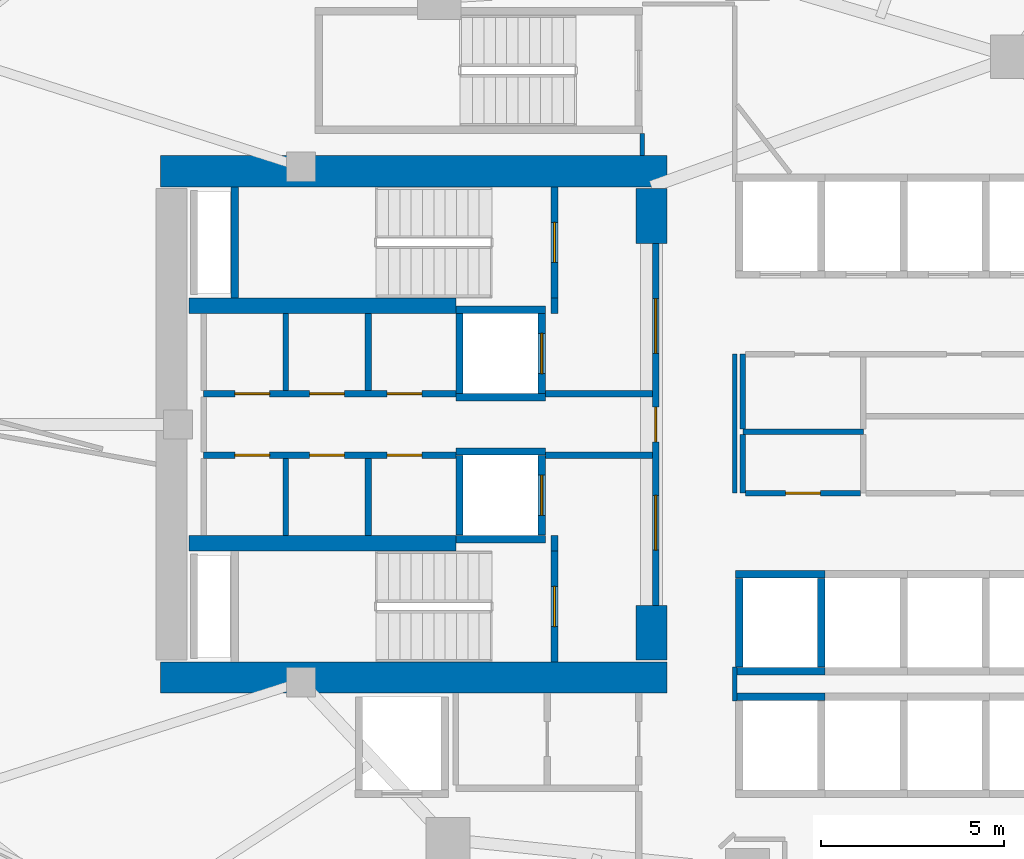
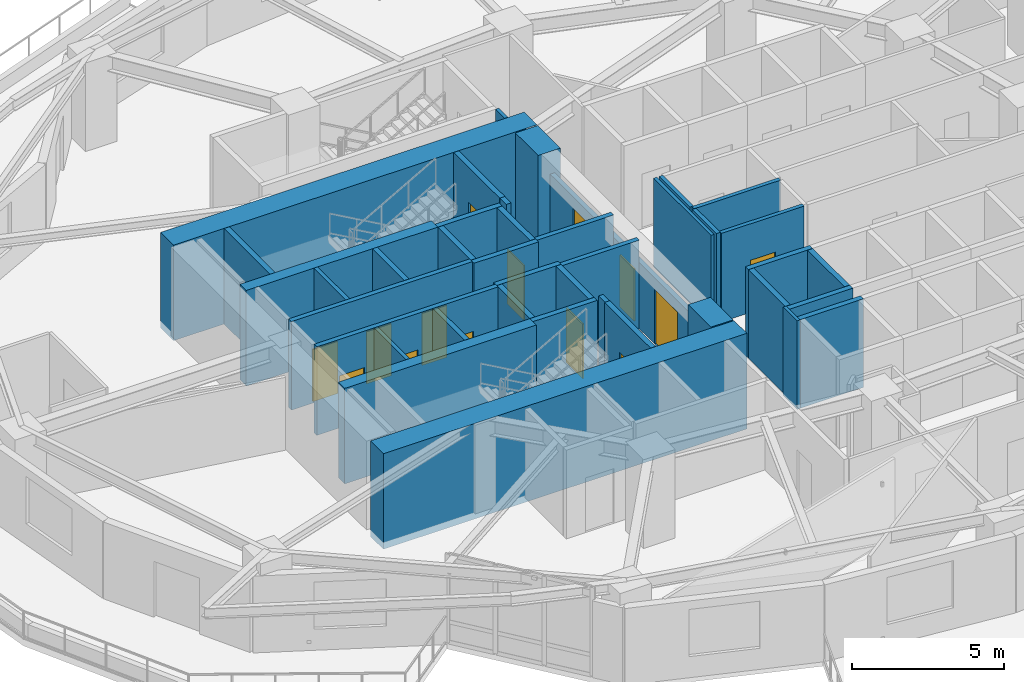
# One storey, part 9 of 19: 40 walls, 14 doors, 14 openings.
"""IFC4 building model written with IfcOpenShell, lengths in metres."""

from ifc_helpers import new_model, si_unit, direction, frame, frame_2d, origin, place, context, subcontext, project, spatial, rectangle, extrude, material, layer, layer_set, type_object, element, fill, save


model = new_model("IFC4")

# Units and contexts
model_context = context("Model", 3, precision=1e-05, world=origin(), true_north=direction((0.0, 1.0)))
body_context = subcontext(model_context, "Body", "Model", "MODEL_VIEW")
ifc_project = project(units=[si_unit("LENGTHUNIT", "METRE"), si_unit("AREAUNIT", "SQUARE_METRE"), si_unit("VOLUMEUNIT", "CUBIC_METRE"), si_unit("PLANEANGLEUNIT", "RADIAN"), si_unit("MASSUNIT", "GRAM", prefix="KILO")], contexts=[model_context])

# Site, building, storey
site_placement = place(None, origin())
site = spatial("IfcSite", under=ifc_project, at=site_placement, CompositionType="ELEMENT")
building_placement = place(site_placement, origin())
building = spatial("IfcBuilding", under=site, at=building_placement, Name="Kolvaren Gate Tower and Convention Centre", CompositionType="ELEMENT")
storey_placement = place(building_placement, frame((0.0, 0.0, 68.85009765625)))
storey = spatial("IfcBuildingStorey", under=building, at=storey_placement, Name="L16", CompositionType="ELEMENT", Elevation=68.85009765625)

# Walls
ifc_material_1 = material(Name="Autoclaved Aerated Masonry Blockwork Class 4 (4.0 MPa)", Category="masonry")
ifc_layer_1 = layer(ifc_material_1, 0.179931640625)
ifc_layer_set_1 = layer_set([ifc_layer_1], Name="Autoclaved Aerated Masonry Blockwork Class 4 (4.0 MPa)")
wall_type_1 = type_object("IfcWallType", Name="ARCH-WL-COMP-180", PredefinedType="SOLIDWALL", material=ifc_layer_set_1)
for number, where, z_axis, x_axis, name in (
    (1, (24.85009765625, 23.5400390625, 0.0), (0.0, 0.0, 1.0), (0.0, 1.0, 0.0), "Interior Partition WL-L16-INT-001"),
    (2, (24.85009765625, 30.0400390625, 0.0), (0.0, 0.0, 1.0), (0.0, 1.0, 0.0), "Interior Partition WL-L16-INT-002"),
):
    element("IfcWall", number, at=place(storey_placement, frame(where, z_axis=z_axis, x_axis=x_axis)), inside=storey, type_object=wall_type_1, Name=name, PredefinedType="SOLIDWALL", context=body_context, shape_type="SweptSolid", body=[
        extrude(rectangle(XDim=0.419921875, YDim=0.179931640625, at=frame_2d((0.2099609375, 0.0))), origin(), (0.0, 0.0, 1.0), 3.56982421875),
    ])

# Wall, openings, doors
wall_1_placement = place(storey_placement, frame((27.6201171875, 22.050048828125, 0.0), z_axis=(0.0, 0.0, 1.0), x_axis=(0.0, 1.0, 0.0)))
wall_1 = element("IfcWall", 3, at=wall_1_placement, inside=storey, type_object=wall_type_1, Name="Interior Partition WL-L16-INT-003", PredefinedType="SOLIDWALL", context=body_context, shape_type="SweptSolid", body=[
    extrude(rectangle(XDim=9.89990234375, YDim=0.179931640625, at=frame_2d((4.949951171875, 0.0))), origin(), (0.0, 0.0, 1.0), 2.661865234375),
])
opening_1_placement = place(wall_1_placement, frame((4.47509765625, 0.0, 0.0)))
opening_1 = element("IfcOpeningElement", 4, at=opening_1_placement, cuts=wall_1, Name="Opening DR-01", PredefinedType="OPENING", context=body_context, shape_type="SweptSolid", body=[
    extrude(rectangle(XDim=0.949951171875, YDim=2.10009765625, at=frame_2d((0.47509765625, 1.050048828125))), frame((0.0, 0.099853515625, 0.0), z_axis=(0.0, -1.0, 0.0), x_axis=(1.0, 0.0, 0.0)), (0.0, 0.0, 1.0), 0.199951171875),
])
opening_2_placement = place(wall_1_placement, frame((6.889892578125, 0.0, 0.0)))
opening_2 = element("IfcOpeningElement", 5, at=opening_2_placement, cuts=wall_1, Name="Opening DL-01", PredefinedType="OPENING", context=body_context, shape_type="SweptSolid", body=[
    extrude(rectangle(XDim=1.5, YDim=2.199951171875, at=frame_2d((0.75, 1.10009765625))), frame((0.0, 0.099853515625, 0.0), z_axis=(0.0, -1.0, 0.0), x_axis=(1.0, 0.0, 0.0)), (0.0, 0.0, 1.0), 0.199951171875),
])
opening_3_placement = place(wall_1_placement, frame((1.510009765625, 0.0, 0.0)))
opening_3 = element("IfcOpeningElement", 6, at=opening_3_placement, cuts=wall_1, Name="Opening DL-01", PredefinedType="OPENING", context=body_context, shape_type="SweptSolid", body=[
    extrude(rectangle(XDim=1.5, YDim=2.199951171875, at=frame_2d((0.75, 1.10009765625))), frame((0.0, 0.099853515625, 0.0), z_axis=(0.0, -1.0, 0.0), x_axis=(1.0, 0.0, 0.0)), (0.0, 0.0, 1.0), 0.199951171875),
])
ifc_material_2 = material(Name="Painted Architectural Steelwork ASTM A500 Grade C 345 MPa", Category="steel")
door_type_1 = type_object("IfcDoorType", Name="ARCH-DR-LOBBY-1500", OperationType="DOUBLE_DOOR_SINGLE_SWING", PredefinedType="DOOR", material=ifc_material_2)
door_1_placement = place(opening_2_placement, origin())
door_1 = element("IfcDoor", 7, at=door_1_placement, inside=storey, type_object=door_type_1, Name="North Firefighting Stair and Lift Lobby Door", OperationType="DOUBLE_DOOR_SINGLE_SWING", OverallHeight=2.199951171875, OverallWidth=1.5, PredefinedType="DOOR", context=body_context, shape_type="SweptSolid", body=[
    extrude(rectangle(XDim=1.5, YDim=2.199951171875, at=frame_2d((0.75, 1.10009765625))), frame((0.0, 0.02490234375, 0.0), z_axis=(0.0, -1.0, 0.0), x_axis=(1.0, 0.0, 0.0)), (0.0, 0.0, 1.0), 0.050048828125),
])
fill(opening_2, door_1)
door_2_placement = place(opening_3_placement, origin())
door_2 = element("IfcDoor", 8, at=door_2_placement, inside=storey, type_object=door_type_1, Name="South Firefighting Stair and Lift Lobby Door", OperationType="DOUBLE_DOOR_SINGLE_SWING", OverallHeight=2.199951171875, OverallWidth=1.5, PredefinedType="DOOR", context=body_context, shape_type="SweptSolid", body=[
    extrude(rectangle(XDim=1.5, YDim=2.199951171875, at=frame_2d((0.75, 1.10009765625))), frame((0.0, 0.02490234375, 0.0), z_axis=(0.0, -1.0, 0.0), x_axis=(1.0, 0.0, 0.0)), (0.0, 0.0, 1.0), 0.050048828125),
])
fill(opening_3, door_2)
door_type_2 = type_object("IfcDoorType", Name="ARCH-DR-RISER-950", OperationType="SINGLE_SWING_RIGHT", PredefinedType="DOOR", material=ifc_material_2)
door_3_placement = place(opening_1_placement, origin())
door_3 = element("IfcDoor", 9, at=door_3_placement, inside=storey, type_object=door_type_2, Name="Central MEP Service Corridor Door", OperationType="SINGLE_SWING_RIGHT", OverallHeight=2.10009765625, OverallWidth=0.949951171875, PredefinedType="DOOR", context=body_context, shape_type="SweptSolid", body=[
    extrude(rectangle(XDim=0.949951171875, YDim=2.10009765625, at=frame_2d((0.47509765625, 1.050048828125))), frame((0.0, 0.02490234375, 0.0), z_axis=(0.0, -1.0, 0.0), x_axis=(1.0, 0.0, 0.0)), (0.0, 0.0, 1.0), 0.050048828125),
])
fill(opening_1, door_3)

wall_2_placement = place(storey_placement, frame((15.25, 27.840087890625, 0.0), z_axis=(0.0, 0.0, 1.0), x_axis=(1.0, 0.0, 0.0)))
wall_2 = element("IfcWall", 10, at=wall_2_placement, inside=storey, type_object=wall_type_1, Name="Interior Partition WL-L16-INT-004", PredefinedType="SOLIDWALL", context=body_context, shape_type="SweptSolid", body=[
    extrude(rectangle(XDim=6.89990234375, YDim=0.179931640625, at=frame_2d((3.449951171875, 0.0))), origin(), (0.0, 0.0, 1.0), 3.56982421875),
])
opening_4_placement = place(wall_2_placement, frame((5.02001953125, 0.0, 0.0)))
opening_4 = element("IfcOpeningElement", 11, at=opening_4_placement, cuts=wall_2, Name="Opening DR-01", PredefinedType="OPENING", context=body_context, shape_type="SweptSolid", body=[
    extrude(rectangle(XDim=0.949951171875, YDim=2.10009765625, at=frame_2d((0.47509765625, 1.050048828125))), frame((0.0, 0.099853515625, 0.0), z_axis=(0.0, -1.0, 0.0), x_axis=(1.0, 0.0, 0.0)), (0.0, 0.0, 1.0), 0.199951171875),
])
opening_5_placement = place(wall_2_placement, frame((0.85498046875, 0.0, 0.0)))
opening_5 = element("IfcOpeningElement", 12, at=opening_5_placement, cuts=wall_2, Name="Opening DR-01", PredefinedType="OPENING", context=body_context, shape_type="SweptSolid", body=[
    extrude(rectangle(XDim=0.949951171875, YDim=2.10009765625, at=frame_2d((0.47509765625, 1.050048828125))), frame((0.0, 0.099853515625, 0.0), z_axis=(0.0, -1.0, 0.0), x_axis=(1.0, 0.0, 0.0)), (0.0, 0.0, 1.0), 0.199951171875),
])
opening_6_placement = place(wall_2_placement, frame((2.89990234375, 0.0, 0.0)))
opening_6 = element("IfcOpeningElement", 13, at=opening_6_placement, cuts=wall_2, Name="Opening DR-01", PredefinedType="OPENING", context=body_context, shape_type="SweptSolid", body=[
    extrude(rectangle(XDim=0.949951171875, YDim=2.10009765625, at=frame_2d((0.47509765625, 1.050048828125))), frame((0.0, 0.099853515625, 0.0), z_axis=(0.0, -1.0, 0.0), x_axis=(1.0, 0.0, 0.0)), (0.0, 0.0, 1.0), 0.199951171875),
])
door_4_placement = place(opening_4_placement, origin())
door_4 = element("IfcDoor", 14, at=door_4_placement, inside=storey, type_object=door_type_2, Name="Electrical Switchgear Closet Door", OperationType="SINGLE_SWING_LEFT", OverallHeight=2.10009765625, OverallWidth=0.949951171875, PredefinedType="DOOR", context=body_context, shape_type="SweptSolid", body=[
    extrude(rectangle(XDim=0.949951171875, YDim=2.10009765625, at=frame_2d((0.47509765625, 1.050048828125))), frame((0.0, 0.02490234375, 0.0), z_axis=(0.0, -1.0, 0.0), x_axis=(1.0, 0.0, 0.0)), (0.0, 0.0, 1.0), 0.050048828125),
])
fill(opening_4, door_4)
door_5_placement = place(opening_5_placement, origin())
door_5 = element("IfcDoor", 15, at=door_5_placement, inside=storey, type_object=door_type_2, Name="Staff Accessible WC Door", OperationType="SINGLE_SWING_LEFT", OverallHeight=2.10009765625, OverallWidth=0.949951171875, PredefinedType="DOOR", context=body_context, shape_type="SweptSolid", body=[
    extrude(rectangle(XDim=0.949951171875, YDim=2.10009765625, at=frame_2d((0.47509765625, 1.050048828125))), frame((0.0, 0.02490234375, 0.0), z_axis=(0.0, -1.0, 0.0), x_axis=(1.0, 0.0, 0.0)), (0.0, 0.0, 1.0), 0.050048828125),
])
fill(opening_5, door_5)
door_6_placement = place(opening_6_placement, origin())
door_6 = element("IfcDoor", 16, at=door_6_placement, inside=storey, type_object=door_type_2, Name="Housekeeping Sink Closet Door", OperationType="SINGLE_SWING_RIGHT", OverallHeight=2.10009765625, OverallWidth=0.949951171875, PredefinedType="DOOR", context=body_context, shape_type="SweptSolid", body=[
    extrude(rectangle(XDim=0.949951171875, YDim=2.10009765625, at=frame_2d((0.47509765625, 1.050048828125))), frame((0.0, 0.02490234375, 0.0), z_axis=(0.0, -1.0, 0.0), x_axis=(1.0, 0.0, 0.0)), (0.0, 0.0, 1.0), 0.050048828125),
])
fill(opening_6, door_6)

# Wall
wall_3_placement = place(storey_placement, frame((24.60009765625, 27.840087890625, 0.0), z_axis=(0.0, 0.0, 1.0), x_axis=(1.0, 0.0, 0.0)))
element("IfcWall", 17, at=wall_3_placement, inside=storey, type_object=wall_type_1, Name="Interior Partition WL-L16-INT-004 (2)", PredefinedType="SOLIDWALL", context=body_context, shape_type="SweptSolid", body=[
    extrude(rectangle(XDim=2.927978515625, YDim=0.179931640625, at=frame_2d((1.4638671875, 0.0))), origin(), (0.0, 0.0, 1.0), 3.56982421875),
])

# Wall, openings, doors
wall_4_placement = place(storey_placement, frame((15.25, 26.159912109375, 0.0), z_axis=(0.0, 0.0, 1.0), x_axis=(1.0, 0.0, 0.0)))
wall_4 = element("IfcWall", 18, at=wall_4_placement, inside=storey, type_object=wall_type_1, Name="Interior Partition WL-L16-INT-005", PredefinedType="SOLIDWALL", context=body_context, shape_type="SweptSolid", body=[
    extrude(rectangle(XDim=6.89990234375, YDim=0.179931640625, at=frame_2d((3.449951171875, 0.0))), origin(), (0.0, 0.0, 1.0), 3.56982421875),
])
opening_7_placement = place(wall_4_placement, frame((5.02001953125, 0.0, 0.0)))
opening_7 = element("IfcOpeningElement", 19, at=opening_7_placement, cuts=wall_4, Name="Opening DR-01", PredefinedType="OPENING", context=body_context, shape_type="SweptSolid", body=[
    extrude(rectangle(XDim=0.949951171875, YDim=2.10009765625, at=frame_2d((0.47509765625, 1.050048828125))), frame((0.0, 0.099853515625, 0.0), z_axis=(0.0, -1.0, 0.0), x_axis=(1.0, 0.0, 0.0)), (0.0, 0.0, 1.0), 0.199951171875),
])
opening_8_placement = place(wall_4_placement, frame((0.85498046875, 0.0, 0.0)))
opening_8 = element("IfcOpeningElement", 20, at=opening_8_placement, cuts=wall_4, Name="Opening DR-01", PredefinedType="OPENING", context=body_context, shape_type="SweptSolid", body=[
    extrude(rectangle(XDim=0.949951171875, YDim=2.10009765625, at=frame_2d((0.47509765625, 1.050048828125))), frame((0.0, 0.099853515625, 0.0), z_axis=(0.0, -1.0, 0.0), x_axis=(1.0, 0.0, 0.0)), (0.0, 0.0, 1.0), 0.199951171875),
])
opening_9_placement = place(wall_4_placement, frame((2.89990234375, 0.0, 0.0)))
opening_9 = element("IfcOpeningElement", 21, at=opening_9_placement, cuts=wall_4, Name="Opening DR-01", PredefinedType="OPENING", context=body_context, shape_type="SweptSolid", body=[
    extrude(rectangle(XDim=0.949951171875, YDim=2.10009765625, at=frame_2d((0.47509765625, 1.050048828125))), frame((0.0, 0.099853515625, 0.0), z_axis=(0.0, -1.0, 0.0), x_axis=(1.0, 0.0, 0.0)), (0.0, 0.0, 1.0), 0.199951171875),
])
door_7_placement = place(opening_7_placement, origin())
door_7 = element("IfcDoor", 22, at=door_7_placement, inside=storey, type_object=door_type_2, Name="Domestic Water Meter Closet Door", OperationType="SINGLE_SWING_RIGHT", OverallHeight=2.10009765625, OverallWidth=0.949951171875, PredefinedType="DOOR", context=body_context, shape_type="SweptSolid", body=[
    extrude(rectangle(XDim=0.949951171875, YDim=2.10009765625, at=frame_2d((0.47509765625, 1.050048828125))), frame((0.0, 0.02490234375, 0.0), z_axis=(0.0, -1.0, 0.0), x_axis=(1.0, 0.0, 0.0)), (0.0, 0.0, 1.0), 0.050048828125),
])
fill(opening_7, door_7)
door_8_placement = place(opening_8_placement, origin())
door_8 = element("IfcDoor", 23, at=door_8_placement, inside=storey, type_object=door_type_2, Name="Beverage Service Pantry Door", OperationType="SINGLE_SWING_LEFT", OverallHeight=2.10009765625, OverallWidth=0.949951171875, PredefinedType="DOOR", context=body_context, shape_type="SweptSolid", body=[
    extrude(rectangle(XDim=0.949951171875, YDim=2.10009765625, at=frame_2d((0.47509765625, 1.050048828125))), frame((0.0, 0.02490234375, 0.0), z_axis=(0.0, -1.0, 0.0), x_axis=(1.0, 0.0, 0.0)), (0.0, 0.0, 1.0), 0.050048828125),
])
fill(opening_8, door_8)
door_9_placement = place(opening_9_placement, origin())
door_9 = element("IfcDoor", 24, at=door_9_placement, inside=storey, type_object=door_type_2, Name="Archive Supply Closet Door", OperationType="SINGLE_SWING_RIGHT", OverallHeight=2.10009765625, OverallWidth=0.949951171875, PredefinedType="DOOR", context=body_context, shape_type="SweptSolid", body=[
    extrude(rectangle(XDim=0.949951171875, YDim=2.10009765625, at=frame_2d((0.47509765625, 1.050048828125))), frame((0.0, 0.02490234375, 0.0), z_axis=(0.0, -1.0, 0.0), x_axis=(1.0, 0.0, 0.0)), (0.0, 0.0, 1.0), 0.050048828125),
])
fill(opening_9, door_9)

# Walls
wall_5_placement = place(storey_placement, frame((24.60009765625, 26.159912109375, 0.0), z_axis=(0.0, 0.0, 1.0), x_axis=(1.0, 0.0, 0.0)))
element("IfcWall", 25, at=wall_5_placement, inside=storey, type_object=wall_type_1, Name="Interior Partition WL-L16-INT-005 (2)", PredefinedType="SOLIDWALL", context=body_context, shape_type="SweptSolid", body=[
    extrude(rectangle(XDim=2.927978515625, YDim=0.179931640625, at=frame_2d((1.4638671875, 0.0))), origin(), (0.0, 0.0, 1.0), 3.56982421875),
])
for number, where, z_axis, x_axis, name in (
    (26, (19.75, 23.9619140625, 0.0), (0.0, 0.0, 1.0), (0.0, 1.0, 0.0), "Interior Partition WL-L16-INT-007"),
    (27, (19.75, 27.931884765625, 0.0), (0.0, 0.0, 1.0), (0.0, 1.0, 0.0), "Interior Partition WL-L16-INT-008"),
):
    element("IfcWall", number, at=place(storey_placement, frame(where, z_axis=z_axis, x_axis=x_axis)), inside=storey, type_object=wall_type_1, Name=name, PredefinedType="SOLIDWALL", context=body_context, shape_type="SweptSolid", body=[
        extrude(rectangle(XDim=2.106201171875, YDim=0.179931640625, at=frame_2d((1.05322265625, 0.0))), origin(), (0.0, 0.0, 1.0), 3.56982421875),
    ])
ifc_material_3 = material(Name="Fire-Rated Acoustic Gypsum Stud Partition", Category="gypsum")
ifc_layer_2 = layer(ifc_material_3, 0.1201171875)
ifc_layer_set_2 = layer_set([ifc_layer_2], Name="Fire-Rated Acoustic Gypsum Stud Partition")
wall_type_2 = type_object("IfcWallType", Name="ARCH-WL-PART-120", PredefinedType="PARTITIONING", material=ifc_layer_set_2)
wall_6_placement = place(storey_placement, frame((27.25, 34.35205078125, 0.0), z_axis=(0.0, 0.0, 1.0), x_axis=(0.0, 1.0, 0.0)))
element("IfcWall", 28, at=wall_6_placement, inside=storey, type_object=wall_type_2, Name="Interior Partition WL-L16-INT-026", PredefinedType="PARTITIONING", context=body_context, shape_type="SweptSolid", body=[
    extrude(rectangle(XDim=0.60595703125, YDim=0.1201171875, at=frame_2d((0.302978515625, 0.0))), origin(), (0.0, 0.0, 1.0), 3.56982421875),
])
wall_7_placement = place(storey_placement, frame((29.780029296875, 19.43994140625, 0.0), z_axis=(0.0, 0.0, 1.0), x_axis=(0.0, 1.0, 0.0)))
element("IfcWall", 29, at=wall_7_placement, inside=storey, type_object=wall_type_2, Name="Interior Partition WL-L16-INT-028", PredefinedType="PARTITIONING", context=body_context, shape_type="SweptSolid", body=[
    extrude(rectangle(XDim=0.920166015625, YDim=0.1201171875, at=frame_2d((0.4599609375, 0.0))), origin(), (0.0, 0.0, 1.0), 3.56982421875),
])
wall_8_placement = place(storey_placement, frame((29.780029296875, 25.1201171875, 0.0), z_axis=(0.0, 0.0, 1.0), x_axis=(0.0, 1.0, 0.0)))
element("IfcWall", 30, at=wall_8_placement, inside=storey, type_object=wall_type_2, Name="Interior Partition WL-L16-INT-029", PredefinedType="PARTITIONING", context=body_context, shape_type="SweptSolid", body=[
    extrude(rectangle(XDim=3.7998046875, YDim=0.1201171875, at=frame_2d((1.89990234375, 0.0))), origin(), (0.0, 0.0, 1.0), 3.56982421875),
])
ifc_layer_3 = layer(ifc_material_1, 0.199951171875)
ifc_layer_set_3 = layer_set([ifc_layer_3], Name="Autoclaved Aerated Masonry Blockwork Class 4 (4.0 MPa)")
wall_type_3 = type_object("IfcWallType", Name="ARCH-WL-SHAFT-200", PredefinedType="SOLIDWALL", material=ifc_layer_set_3)
for number, where, z_axis, x_axis, name in (
    (31, (22.14990234375, 30.139892578125, 0.0), (0.0, 0.0, 1.0), (1.0, 0.0, 0.0), "Elevator FF-01 L16 Fire Shaft Wall N"),
    (32, (22.14990234375, 27.739990234375, 0.0), (0.0, 0.0, 1.0), (1.0, 0.0, 0.0), "Elevator FF-01 L16 Fire Shaft Wall S"),
):
    element("IfcWall", number, at=place(storey_placement, frame(where, z_axis=z_axis, x_axis=x_axis)), inside=storey, type_object=wall_type_3, Name=name, PredefinedType="SOLIDWALL", context=body_context, shape_type="SweptSolid", body=[
        extrude(rectangle(XDim=2.4501953125, YDim=0.199951171875, at=frame_2d((1.22509765625, 0.0))), origin(), (0.0, 0.0, 1.0), 3.56982421875),
    ])
wall_9_placement = place(storey_placement, frame((22.25, 27.85009765625, 0.0), z_axis=(0.0, 0.0, 1.0), x_axis=(0.0, 1.0, 0.0)))
element("IfcWall", 33, at=wall_9_placement, inside=storey, type_object=wall_type_3, Name="Elevator FF-01 L16 Fire Shaft Wall W", PredefinedType="SOLIDWALL", context=body_context, shape_type="SweptSolid", body=[
    extrude(rectangle(XDim=2.179931640625, YDim=0.199951171875, at=frame_2d((1.08984375, 0.0))), origin(), (0.0, 0.0, 1.0), 3.56982421875),
])

# Wall, opening, door
wall_10_placement = place(storey_placement, frame((24.5, 27.85009765625, 0.0), z_axis=(0.0, 0.0, 1.0), x_axis=(0.0, 1.0, 0.0)))
wall_10 = element("IfcWall", 34, at=wall_10_placement, inside=storey, type_object=wall_type_3, Name="Elevator FF-01 L16 Fire Shaft Wall E", PredefinedType="SOLIDWALL", context=body_context, shape_type="SweptSolid", body=[
    extrude(rectangle(XDim=2.179931640625, YDim=0.199951171875, at=frame_2d((1.08984375, 0.0))), origin(), (0.0, 0.0, 1.0), 3.56982421875),
])
opening_10_placement = place(wall_10_placement, frame((0.5400390625, 0.0, 0.0)))
opening_10 = element("IfcOpeningElement", 35, at=opening_10_placement, cuts=wall_10, Name="Opening LD", PredefinedType="OPENING", context=body_context, shape_type="SweptSolid", body=[
    extrude(rectangle(XDim=1.10009765625, YDim=2.199951171875, at=frame_2d((0.550048828125, 1.10009765625))), frame((0.0, 0.10986328125, 0.0), z_axis=(0.0, -1.0, 0.0), x_axis=(1.0, 0.0, 0.0)), (0.0, 0.0, 1.0), 0.219970703125),
])
ifc_material_4 = material(Name="Brushed Stainless Steel Grade 316L", Category="steel")
door_type_3 = type_object("IfcDoorType", Name="ARCH-DR-LIFT-1100", OperationType="SLIDING_TO_LEFT", PredefinedType="DOOR", material=ifc_material_4)
door_10_placement = place(opening_10_placement, origin())
door_10 = element("IfcDoor", 36, at=door_10_placement, inside=storey, type_object=door_type_3, Name="Elevator FF-01 L16 Sliding Landing Door", OperationType="SLIDING_TO_LEFT", OverallHeight=2.199951171875, OverallWidth=1.10009765625, PredefinedType="DOOR", context=body_context, shape_type="SweptSolid", body=[
    extrude(rectangle(XDim=1.10009765625, YDim=2.199951171875, at=frame_2d((0.550048828125, 1.10009765625))), frame((0.0, 0.02490234375, 0.0), z_axis=(0.0, -1.0, 0.0), x_axis=(1.0, 0.0, 0.0)), (0.0, 0.0, 1.0), 0.050048828125),
])
fill(opening_10, door_10)

# Walls
for number, where, z_axis, x_axis, name in (
    (37, (22.14990234375, 26.260009765625, 0.0), (0.0, 0.0, 1.0), (1.0, 0.0, 0.0), "Elevator FF-02 L16 Fire Shaft Wall N"),
    (38, (22.14990234375, 23.860107421875, 0.0), (0.0, 0.0, 1.0), (1.0, 0.0, 0.0), "Elevator FF-02 L16 Fire Shaft Wall S"),
):
    element("IfcWall", number, at=place(storey_placement, frame(where, z_axis=z_axis, x_axis=x_axis)), inside=storey, type_object=wall_type_3, Name=name, PredefinedType="SOLIDWALL", context=body_context, shape_type="SweptSolid", body=[
        extrude(rectangle(XDim=2.4501953125, YDim=0.199951171875, at=frame_2d((1.22509765625, 0.0))), origin(), (0.0, 0.0, 1.0), 3.56982421875),
    ])
wall_11_placement = place(storey_placement, frame((22.25, 23.969970703125, 0.0), z_axis=(0.0, 0.0, 1.0), x_axis=(0.0, 1.0, 0.0)))
element("IfcWall", 39, at=wall_11_placement, inside=storey, type_object=wall_type_3, Name="Elevator FF-02 L16 Fire Shaft Wall W", PredefinedType="SOLIDWALL", context=body_context, shape_type="SweptSolid", body=[
    extrude(rectangle(XDim=2.179931640625, YDim=0.199951171875, at=frame_2d((1.08984375, 0.0))), origin(), (0.0, 0.0, 1.0), 3.56982421875),
])

# Wall, opening, door
wall_12_placement = place(storey_placement, frame((24.5, 23.969970703125, 0.0), z_axis=(0.0, 0.0, 1.0), x_axis=(0.0, 1.0, 0.0)))
wall_12 = element("IfcWall", 40, at=wall_12_placement, inside=storey, type_object=wall_type_3, Name="Elevator FF-02 L16 Fire Shaft Wall E", PredefinedType="SOLIDWALL", context=body_context, shape_type="SweptSolid", body=[
    extrude(rectangle(XDim=2.179931640625, YDim=0.199951171875, at=frame_2d((1.08984375, 0.0))), origin(), (0.0, 0.0, 1.0), 3.56982421875),
])
opening_11_placement = place(wall_12_placement, frame((0.5400390625, 0.0, 0.0)))
opening_11 = element("IfcOpeningElement", 41, at=opening_11_placement, cuts=wall_12, Name="Opening LD", PredefinedType="OPENING", context=body_context, shape_type="SweptSolid", body=[
    extrude(rectangle(XDim=1.10009765625, YDim=2.199951171875, at=frame_2d((0.550048828125, 1.10009765625))), frame((0.0, 0.10986328125, 0.0), z_axis=(0.0, -1.0, 0.0), x_axis=(1.0, 0.0, 0.0)), (0.0, 0.0, 1.0), 0.219970703125),
])
door_11_placement = place(opening_11_placement, origin())
door_11 = element("IfcDoor", 42, at=door_11_placement, inside=storey, type_object=door_type_3, Name="Elevator FF-02 L16 Sliding Landing Door", OperationType="SLIDING_TO_LEFT", OverallHeight=2.199951171875, OverallWidth=1.10009765625, PredefinedType="DOOR", context=body_context, shape_type="SweptSolid", body=[
    extrude(rectangle(XDim=1.10009765625, YDim=2.199951171875, at=frame_2d((0.550048828125, 1.10009765625))), frame((0.0, 0.02490234375, 0.0), z_axis=(0.0, -1.0, 0.0), x_axis=(1.0, 0.0, 0.0)), (0.0, 0.0, 1.0), 0.050048828125),
])
fill(opening_11, door_11)

# Walls
for number, where, z_axis, x_axis, name in (
    (43, (29.800048828125, 19.550048828125, 0.0), (0.0, 0.0, 1.0), (1.0, 0.0, 0.0), "Elevator PL-05 L16 Fire Shaft Wall N"),
    (44, (29.800048828125, 22.89990234375, 0.0), (0.0, 0.0, 1.0), (1.0, 0.0, 0.0), "Elevator PL-09 L16 Fire Shaft Wall N"),
    (45, (29.800048828125, 20.25, 0.0), (0.0, 0.0, 1.0), (1.0, 0.0, 0.0), "Elevator PL-09 L16 Fire Shaft Wall S"),
):
    element("IfcWall", number, at=place(storey_placement, frame(where, z_axis=z_axis, x_axis=x_axis)), inside=storey, type_object=wall_type_3, Name=name, PredefinedType="SOLIDWALL", context=body_context, shape_type="SweptSolid", body=[
        extrude(rectangle(XDim=2.449951171875, YDim=0.199951171875, at=frame_2d((1.22509765625, 0.0))), origin(), (0.0, 0.0, 1.0), 3.56982421875),
    ])
for number, where, z_axis, x_axis, name in (
    (46, (29.89990234375, 20.360107421875, 0.0), (0.0, 0.0, 1.0), (0.0, 1.0, 0.0), "Elevator PL-09 L16 Fire Shaft Wall W"),
    (47, (32.14990234375, 20.360107421875, 0.0), (0.0, 0.0, 1.0), (0.0, 1.0, 0.0), "Elevator PL-09 L16 Fire Shaft Wall E"),
):
    element("IfcWall", number, at=place(storey_placement, frame(where, z_axis=z_axis, x_axis=x_axis)), inside=storey, type_object=wall_type_3, Name=name, PredefinedType="SOLIDWALL", context=body_context, shape_type="SweptSolid", body=[
        extrude(rectangle(XDim=2.429931640625, YDim=0.199951171875, at=frame_2d((1.21484375, 0.0))), origin(), (0.0, 0.0, 1.0), 3.56982421875),
    ])
ifc_material_5 = material(Name="Moisture-Resistant Cement-Board Acoustic Partition", Category="gypsum")
ifc_layer_4 = layer(ifc_material_5, 0.14990234375)
ifc_layer_set_4 = layer_set([ifc_layer_4], Name="Moisture-Resistant Cement-Board Acoustic Partition")
wall_type_4 = type_object("IfcWallType", Name="ARCH-WL-WET-150", PredefinedType="PARTITIONING", material=ifc_layer_set_4)
for number, where, z_axis, x_axis, name in (
    (48, (17.5, 23.9619140625, 0.0), (0.0, 0.0, 1.0), (0.0, 1.0, 0.0), "Interior Partition WL-L16-INT-009"),
    (49, (17.5, 27.931884765625, 0.0), (0.0, 0.0, 1.0), (0.0, 1.0, 0.0), "Interior Partition WL-L16-INT-010"),
):
    element("IfcWall", number, at=place(storey_placement, frame(where, z_axis=z_axis, x_axis=x_axis)), inside=storey, type_object=wall_type_4, Name=name, PredefinedType="PARTITIONING", context=body_context, shape_type="SweptSolid", body=[
        extrude(rectangle(XDim=2.106201171875, YDim=0.14990234375, at=frame_2d((1.05322265625, 0.0))), origin(), (0.0, 0.0, 1.0), 3.56982421875),
    ])
wall_13_placement = place(storey_placement, frame((30.0, 26.800048828125, 0.0), z_axis=(0.0, 0.0, 1.0), x_axis=(1.0, 0.0, 0.0)))
element("IfcWall", 50, at=wall_13_placement, inside=storey, type_object=wall_type_4, Name="Interior Partition WL-L16-INT-015", PredefinedType="PARTITIONING", context=body_context, shape_type="SweptSolid", body=[
    extrude(rectangle(XDim=3.300048828125, YDim=0.14990234375, at=frame_2d((1.64990234375, 0.0))), origin(), (0.0, 0.0, 1.0), 3.56982421875),
])
wall_14_placement = place(storey_placement, frame((30.0, 25.1201171875, 0.0), z_axis=(0.0, 0.0, 1.0), x_axis=(0.0, 1.0, 0.0)))
element("IfcWall", 51, at=wall_14_placement, inside=storey, type_object=wall_type_4, Name="Interior Partition WL-L16-INT-016", PredefinedType="PARTITIONING", context=body_context, shape_type="SweptSolid", body=[
    extrude(rectangle(XDim=1.602783203125, YDim=0.14990234375, at=frame_2d((0.80126953125, 0.0))), origin(), (0.0, 0.0, 1.0), 3.56982421875),
])
wall_15_placement = place(storey_placement, frame((30.0, 26.876953125, 0.0), z_axis=(0.0, 0.0, 1.0), x_axis=(0.0, 1.0, 0.0)))
element("IfcWall", 52, at=wall_15_placement, inside=storey, type_object=wall_type_4, Name="Interior Partition WL-L16-INT-016 (2)", PredefinedType="PARTITIONING", context=body_context, shape_type="SweptSolid", body=[
    extrude(rectangle(XDim=2.04296875, YDim=0.14990234375, at=frame_2d((1.021484375, 0.0))), origin(), (0.0, 0.0, 1.0), 3.56982421875),
])

# Wall, opening, door
wall_16_placement = place(storey_placement, frame((30.076904296875, 25.1201171875, 0.0), z_axis=(0.0, 0.0, 1.0), x_axis=(1.0, 0.0, 0.0)))
wall_16 = element("IfcWall", 53, at=wall_16_placement, inside=storey, type_object=wall_type_4, Name="Interior Partition WL-L16-INT-019", PredefinedType="PARTITIONING", context=body_context, shape_type="SweptSolid", body=[
    extrude(rectangle(XDim=3.14599609375, YDim=0.14990234375, at=frame_2d((1.572998046875, 0.0))), origin(), (0.0, 0.0, 1.0), 3.56982421875),
])
opening_12_placement = place(wall_16_placement, frame((1.097900390625, 0.0, 0.0)))
opening_12 = element("IfcOpeningElement", 54, at=opening_12_placement, cuts=wall_16, Name="Opening DR-01", PredefinedType="OPENING", context=body_context, shape_type="SweptSolid", body=[
    extrude(rectangle(XDim=0.949951171875, YDim=2.10009765625, at=frame_2d((0.47509765625, 1.050048828125))), frame((0.0, 0.0849609375, 0.0), z_axis=(0.0, -1.0, 0.0), x_axis=(1.0, 0.0, 0.0)), (0.0, 0.0, 1.0), 0.169921875),
])
door_12_placement = place(opening_12_placement, origin())
door_12 = element("IfcDoor", 55, at=door_12_placement, inside=storey, type_object=door_type_2, Name="South Visitor Washroom Door", OperationType="SINGLE_SWING_LEFT", OverallHeight=2.10009765625, OverallWidth=0.949951171875, PredefinedType="DOOR", context=body_context, shape_type="SweptSolid", body=[
    extrude(rectangle(XDim=0.949951171875, YDim=2.10009765625, at=frame_2d((0.47509765625, 1.050048828125))), frame((0.0, 0.02490234375, 0.0), z_axis=(0.0, -1.0, 0.0), x_axis=(1.0, 0.0, 0.0)), (0.0, 0.0, 1.0), 0.050048828125),
])
fill(opening_12, door_12)

# Walls
ifc_material_6 = material(Name="Concrete C50/60", Category="concrete")
ifc_layer_5 = layer(ifc_material_6, 0.419921875)
ifc_layer_set_5 = layer_set([ifc_layer_5], Name="Concrete C50/60")
wall_type_5 = type_object("IfcWallType", Name="STR-WL-CONV-420", PredefinedType="SHEAR", material=ifc_layer_set_5)
for number, where, z_axis, x_axis, name in (
    (56, (14.85009765625, 30.25, -0.280029296875), (0.0, 0.0, 1.0), (1.0, 0.0, 0.0), "Tower L16 Offset Core Shear Wall WN"),
    (57, (14.85009765625, 23.75, -0.280029296875), (0.0, 0.0, 1.0), (1.0, 0.0, 0.0), "Tower L16 Offset Core Shear Wall WS"),
):
    element("IfcWall", number, at=place(storey_placement, frame(where, z_axis=z_axis, x_axis=x_axis)), inside=storey, type_object=wall_type_5, Name=name, PredefinedType="SHEAR", context=body_context, shape_type="SweptSolid", body=[
        extrude(rectangle(XDim=7.2998046875, YDim=0.419921875, at=frame_2d((3.64990234375, 0.0))), origin(), (0.0, 0.0, 1.0), 3.849853515625),
    ])
ifc_material_7 = material(Name="Concrete C70/85", Category="concrete")
ifc_layer_6 = layer(ifc_material_7, 0.85009765625)
ifc_layer_set_6 = layer_set([ifc_layer_6], Name="Concrete C70/85")
wall_type_6 = type_object("IfcWallType", Name="STR-WL-CORE-850", PredefinedType="SHEAR", material=ifc_layer_set_6)
for number, where, z_axis, x_axis, name in (
    (58, (14.074951171875, 33.925048828125, -0.280029296875), (0.0, 0.0, 1.0), (1.0, 0.0, 0.0), "Tower L16 Offset Core Shear Wall N"),
    (59, (14.074951171875, 20.074951171875, -0.280029296875), (0.0, 0.0, 1.0), (1.0, 0.0, 0.0), "Tower L16 Offset Core Shear Wall S"),
):
    element("IfcWall", number, at=place(storey_placement, frame(where, z_axis=z_axis, x_axis=x_axis)), inside=storey, type_object=wall_type_6, Name=name, PredefinedType="SHEAR", context=body_context, shape_type="SweptSolid", body=[
        extrude(rectangle(XDim=13.85009765625, YDim=0.85009765625, at=frame_2d((6.925048828125, 0.0))), origin(), (0.0, 0.0, 1.0), 3.849853515625),
    ])
for number, where, z_axis, x_axis, name in (
    (60, (27.5, 31.949951171875, -0.280029296875), (0.0, 0.0, 1.0), (0.0, 1.0, 0.0), "Tower L16 Offset Core Shear Wall EN"),
    (61, (27.5, 20.550048828125, -0.280029296875), (0.0, 0.0, 1.0), (0.0, 1.0, 0.0), "Tower L16 Offset Core Shear Wall ES"),
):
    element("IfcWall", number, at=place(storey_placement, frame(where, z_axis=z_axis, x_axis=x_axis)), inside=storey, type_object=wall_type_6, Name=name, PredefinedType="SHEAR", context=body_context, shape_type="SweptSolid", body=[
        extrude(rectangle(XDim=1.5, YDim=0.85009765625, at=frame_2d((0.75, 0.0))), origin(), (0.0, 0.0, 1.0), 3.849853515625),
    ])

# Wall, opening, door
ifc_layer_7 = layer(ifc_material_6, 0.199951171875)
ifc_layer_set_7 = layer_set([ifc_layer_7], Name="Concrete C50/60")
wall_type_7 = type_object("IfcWallType", Name="STR-WL-SHAFT-200", PredefinedType="SHEAR", material=ifc_layer_set_7)
wall_17_placement = place(storey_placement, frame((24.85009765625, 30.4599609375, -0.280029296875), z_axis=(0.0, 0.0, 1.0), x_axis=(0.0, 1.0, 0.0)))
wall_17 = element("IfcWall", 62, at=wall_17_placement, inside=storey, type_object=wall_type_7, Name="Tower North Exit Stair ST-T1 L16 Structural Shear Enclosure Wall NEAR", PredefinedType="SHEAR", context=body_context, shape_type="SweptSolid", body=[
    extrude(rectangle(XDim=3.0380859375, YDim=0.199951171875, at=frame_2d((1.51904296875, 0.0))), origin(), (0.0, 0.0, 1.0), 3.849853515625),
])
opening_13_placement = place(wall_17_placement, frame((0.968994140625, 0.0, 0.280029296875)))
opening_13 = element("IfcOpeningElement", 63, at=opening_13_placement, cuts=wall_17, Name="Opening DS-01", PredefinedType="OPENING", context=body_context, shape_type="SweptSolid", body=[
    extrude(rectangle(XDim=1.10009765625, YDim=2.14990234375, at=frame_2d((0.550048828125, 1.074951171875))), frame((0.0, 0.10986328125, 0.0), z_axis=(0.0, -1.0, 0.0), x_axis=(1.0, 0.0, 0.0)), (0.0, 0.0, 1.0), 0.219970703125),
])
door_type_4 = type_object("IfcDoorType", Name="ARCH-DR-STAIR-1100", OperationType="SINGLE_SWING_LEFT", PredefinedType="DOOR", material=ifc_material_2)
door_13_placement = place(opening_13_placement, origin())
door_13 = element("IfcDoor", 64, at=door_13_placement, inside=storey, type_object=door_type_4, Name="Tower North Exit Stair ST-T1 L16 Fire Exit Stair Door", OperationType="SINGLE_SWING_RIGHT", OverallHeight=2.14990234375, OverallWidth=1.10009765625, PredefinedType="DOOR", context=body_context, shape_type="SweptSolid", body=[
    extrude(rectangle(XDim=1.10009765625, YDim=2.14990234375, at=frame_2d((0.550048828125, 1.074951171875))), frame((0.0, 0.02490234375, 0.0), z_axis=(0.0, -1.0, 0.0), x_axis=(1.0, 0.0, 0.0)), (0.0, 0.0, 1.0), 0.050048828125),
])
fill(opening_13, door_13)

# Wall
wall_18_placement = place(storey_placement, frame((16.10009765625, 30.4619140625, -0.280029296875), z_axis=(0.0, 0.0, 1.0), x_axis=(0.0, 1.0, 0.0)))
element("IfcWall", 65, at=wall_18_placement, inside=storey, type_object=wall_type_7, Name="Tower North Exit Stair ST-T1 L16 Structural Shear Enclosure Wall FAR", PredefinedType="SHEAR", context=body_context, shape_type="SweptSolid", body=[
    extrude(rectangle(XDim=3.0361328125, YDim=0.199951171875, at=frame_2d((1.51806640625, 0.0))), origin(), (0.0, 0.0, 1.0), 3.849853515625),
])

# Wall, opening, door
wall_19_placement = place(storey_placement, frame((24.85009765625, 20.501953125, -0.280029296875), z_axis=(0.0, 0.0, 1.0), x_axis=(0.0, 1.0, 0.0)))
wall_19 = element("IfcWall", 66, at=wall_19_placement, inside=storey, type_object=wall_type_7, Name="Tower South Exit Stair ST-T2 L16 Structural Shear Enclosure Wall NEAR", PredefinedType="SHEAR", context=body_context, shape_type="SweptSolid", body=[
    extrude(rectangle(XDim=3.0380859375, YDim=0.199951171875, at=frame_2d((1.51904296875, 0.0))), origin(), (0.0, 0.0, 1.0), 3.849853515625),
])
opening_14_placement = place(wall_19_placement, frame((0.968994140625, 0.0, 0.280029296875)))
opening_14 = element("IfcOpeningElement", 67, at=opening_14_placement, cuts=wall_19, Name="Opening DS-01", PredefinedType="OPENING", context=body_context, shape_type="SweptSolid", body=[
    extrude(rectangle(XDim=1.10009765625, YDim=2.14990234375, at=frame_2d((0.550048828125, 1.074951171875))), frame((0.0, 0.10986328125, 0.0), z_axis=(0.0, -1.0, 0.0), x_axis=(1.0, 0.0, 0.0)), (0.0, 0.0, 1.0), 0.219970703125),
])
door_14_placement = place(opening_14_placement, origin())
door_14 = element("IfcDoor", 68, at=door_14_placement, inside=storey, type_object=door_type_4, Name="Tower South Exit Stair ST-T2 L16 Fire Exit Stair Door", OperationType="SINGLE_SWING_RIGHT", OverallHeight=2.14990234375, OverallWidth=1.10009765625, PredefinedType="DOOR", context=body_context, shape_type="SweptSolid", body=[
    extrude(rectangle(XDim=1.10009765625, YDim=2.14990234375, at=frame_2d((0.550048828125, 1.074951171875))), frame((0.0, 0.02490234375, 0.0), z_axis=(0.0, -1.0, 0.0), x_axis=(1.0, 0.0, 0.0)), (0.0, 0.0, 1.0), 0.050048828125),
])
fill(opening_14, door_14)

save(model, "model.ifc")
